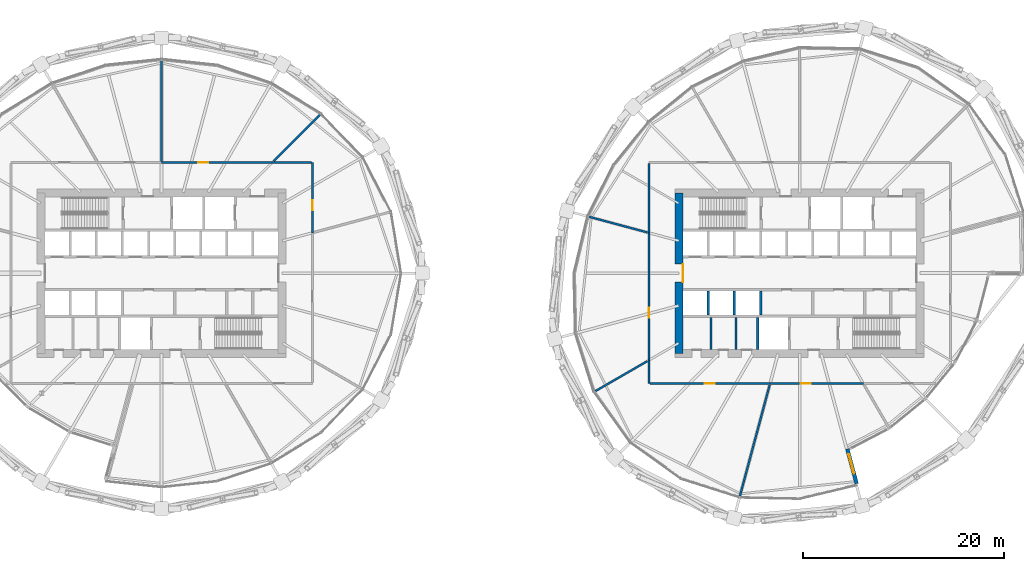
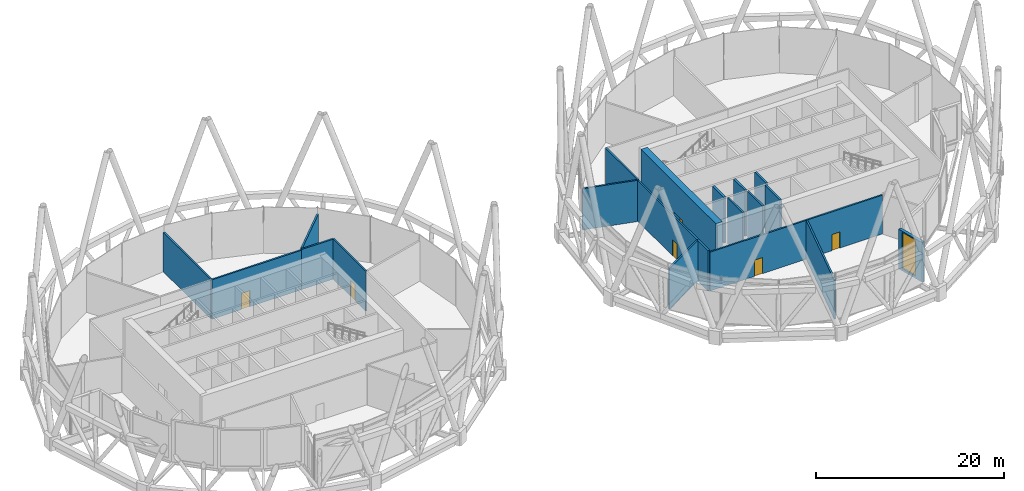
# One storey, part 28 of 33: 21 walls, 6 doors, 1 window, 7 openings.
"""IFC4 building model written with IfcOpenShell, lengths in metres."""

from ifc_helpers import new_model, si_unit, direction, frame, frame_2d, origin, place, context, subcontext, project, spatial, rectangle, extrude, material, layer, layer_set, type_object, element, fill, save


model = new_model("IFC4")

# Units and contexts
model_context = context("Model", 3, precision=1e-05, world=origin(), true_north=direction((0.0, 1.0)))
body_context = subcontext(model_context, "Body", "Model", "MODEL_VIEW")
ifc_project = project(units=[si_unit("LENGTHUNIT", "METRE"), si_unit("AREAUNIT", "SQUARE_METRE"), si_unit("VOLUMEUNIT", "CUBIC_METRE"), si_unit("PLANEANGLEUNIT", "RADIAN"), si_unit("MASSUNIT", "GRAM", prefix="KILO")], contexts=[model_context])

# Site, building, storey
site_placement = place(None, origin())
site = spatial("IfcSite", under=ifc_project, at=site_placement, CompositionType="ELEMENT")
building_placement = place(site_placement, origin())
building = spatial("IfcBuilding", under=site, at=building_placement, Name="Rimbun Link Towers", CompositionType="ELEMENT")
storey_placement = place(building_placement, frame((0.0, 0.0, 75.60009765625)))
storey = spatial("IfcBuildingStorey", under=building, at=storey_placement, Name="L18", CompositionType="ELEMENT", Elevation=75.60009765625)

# Wall, opening, window
ifc_material_1 = material(Name="Dark enamelled glass spandrel on insulated aluminium backpan", Category="aluminium")
ifc_layer_1 = layer(ifc_material_1, 0.3701171875)
ifc_layer_set_1 = layer_set([ifc_layer_1], Name="CS dark enamelled spandrel wall 370")
wall_type_1 = type_object("IfcWallType", Name="CS dark enamelled spandrel wall 370", PredefinedType="STANDARD", material=ifc_layer_set_1)
wall_1_placement = place(storey_placement, frame((36.503662109375, -17.489501953125, 0.0), z_axis=(0.0, 0.0, 1.0), x_axis=(0.258804260405, -0.965929787715, 0.0)))
wall_1 = element("IfcWall", 1, at=wall_1_placement, inside=storey, type_object=wall_type_1, Name="Crease spandrel wall", PredefinedType="STANDARD", context=body_context, shape_type="SweptSolid", body=[
    extrude(rectangle(XDim=3.580078125, YDim=0.3701171875, at=frame_2d((1.7900390625, 0.0))), origin(), (0.0, 0.0, 1.0), 5.146240234375),
])
opening_1_placement = place(wall_1_placement, frame((0.531005859375, 0.0, 0.300048828125)))
opening_1 = element("IfcOpeningElement", 2, at=opening_1_placement, cuts=wall_1, Name="Opening WR20H470", PredefinedType="OPENING", context=body_context, shape_type="SweptSolid", body=[
    extrude(rectangle(XDim=2.0, YDim=4.699951171875, at=frame_2d((1.0, 2.35009765625))), frame((0.0, 0.195068359375, 0.0), z_axis=(0.0, -1.0, 0.0), x_axis=(1.0, 0.0, 0.0)), (0.0, 0.0, 1.0), 0.39013671875),
])
ifc_material_2 = material(Name="Aluminium framed fixed window, dark tinted low-e glass", Category="aluminium")
window_type = type_object("IfcWindowType", Name="WR ribbon window 2000X4700", PartitioningType="SINGLE_PANEL", PredefinedType="WINDOW", material=ifc_material_2)
window_placement = place(opening_1_placement, origin())
window = element("IfcWindow", 3, at=window_placement, inside=storey, type_object=window_type, Name="Crease ribbon window", OverallHeight=4.699951171875, OverallWidth=2.0, PartitioningType="SINGLE_PANEL", PredefinedType="WINDOW", context=body_context, shape_type="SweptSolid", body=[
    extrude(rectangle(XDim=2.0, YDim=4.699951171875, at=frame_2d((1.0, 2.35009765625))), frame((0.0, 0.030029296875, 0.0), z_axis=(0.0, -1.0, 0.0), x_axis=(1.0, 0.0, 0.0)), (0.0, 0.0, 1.0), 0.06005859375),
])
fill(opening_1, window)

# Walls
ifc_material_3 = material(Name="Masonry blockwork", Category="masonry")
ifc_layer_2 = layer(ifc_material_3, 0.199951171875)
ifc_layer_set_2 = layer_set([ifc_layer_2], Name="Core partition 200")
wall_type_2 = type_object("IfcWallType", Name="Core partition 200", PredefinedType="PARTITIONING", material=ifc_layer_set_2)
for number, where, z_axis, x_axis, name in (
    (4, (22.949951171875, -4.39990234375, 0.0), (0.0, 0.0, 1.0), (0.0, -1.0, 0.0), "L18 T2 core wall C1"),
    (5, (25.39990234375, -4.39990234375, 0.0), (0.0, 0.0, 1.0), (0.0, -1.0, 0.0), "L18 T2 core wall C2"),
):
    element("IfcWall", number, at=place(storey_placement, frame(where, z_axis=z_axis, x_axis=x_axis)), inside=storey, type_object=wall_type_2, Name=name, PredefinedType="PARTITIONING", context=body_context, shape_type="SweptSolid", body=[
        extrude(rectangle(XDim=3.2001953125, YDim=0.199951171875, at=frame_2d((1.60009765625, 0.0))), origin(), (0.0, 0.0, 1.0), 6.0),
    ])

# Wall, opening, door
ifc_material_4 = material(Name="Concrete C60/75", Category="concrete")
ifc_layer_3 = layer(ifc_material_4, 0.800048828125)
ifc_layer_set_3 = layer_set([ifc_layer_3], Name="Core shear wall 800")
wall_type_3 = type_object("IfcWallType", Name="Core shear wall 800", PredefinedType="SHEAR", material=ifc_layer_set_3)
wall_2_placement = place(storey_placement, frame((19.75, -8.0, 0.0), z_axis=(0.0, 0.0, 1.0), x_axis=(0.0, 1.0, 0.0)))
wall_2 = element("IfcWall", 6, at=wall_2_placement, inside=storey, type_object=wall_type_3, Name="L18 T2 core wall W", PredefinedType="SHEAR", context=body_context, shape_type="SweptSolid", body=[
    extrude(rectangle(XDim=16.0, YDim=0.800048828125, at=frame_2d((8.0, 0.0))), origin(), (0.0, 0.0, 1.0), 6.0),
])
opening_2_placement = place(wall_2_placement, frame((7.10009765625, 0.0, 0.0)))
opening_2 = element("IfcOpeningElement", 7, at=opening_2_placement, cuts=wall_2, Name="Opening C2DCL01W", PredefinedType="OPENING", context=body_context, shape_type="SweptSolid", body=[
    extrude(rectangle(XDim=1.800048828125, YDim=2.10009765625, at=frame_2d((0.89990234375, 1.050048828125))), frame((0.0, 0.409912109375, 0.0), z_axis=(0.0, -1.0, 0.0), x_axis=(1.0, 0.0, 0.0)), (0.0, 0.0, 1.0), 0.820068359375),
])
ifc_material_5 = material(Name="Steel fire door set", Category="steel")
door_type_1 = type_object("IfcDoorType", Name="Core lobby door double", OperationType="DOUBLE_DOOR_SINGLE_SWING", PredefinedType="DOOR", material=ifc_material_5)
door_1_placement = place(opening_2_placement, origin())
door_1 = element("IfcDoor", 8, at=door_1_placement, inside=storey, type_object=door_type_1, Name="L18 T2 lift lobby door", OperationType="DOUBLE_DOOR_SINGLE_SWING", OverallHeight=2.10009765625, OverallWidth=1.800048828125, PredefinedType="DOOR", context=body_context, shape_type="SweptSolid", body=[
    extrude(rectangle(XDim=1.800048828125, YDim=2.10009765625, at=frame_2d((0.89990234375, 1.050048828125))), frame((0.0, -0.35009765625, 0.0), z_axis=(0.0, -1.0, 0.0), x_axis=(1.0, 0.0, 0.0)), (0.0, 0.0, 1.0), 0.050048828125),
])
fill(opening_2, door_1)

ifc_material_6 = material(Name="Concrete blockwork", Category="masonry")
ifc_layer_4 = layer(ifc_material_6, 0.199951171875)
ifc_layer_set_4 = layer_set([ifc_layer_4], Name="Fire partition 200 blockwork")
wall_type_4 = type_object("IfcWallType", Name="Fire partition 200 blockwork", PredefinedType="PARTITIONING", material=ifc_layer_set_4)
wall_3_placement = place(storey_placement, frame((-16.75, 4.019287109375, 0.0), z_axis=(0.0, 0.0, 1.0), x_axis=(0.0, 1.0, 0.0)))
wall_3 = element("IfcWall", 9, at=wall_3_placement, inside=storey, type_object=wall_type_4, Name="TW/PW/L18/007", PredefinedType="PARTITIONING", context=body_context, shape_type="SweptSolid", body=[
    extrude(rectangle(XDim=6.980712890625, YDim=0.199951171875, at=frame_2d((3.490234375, 0.0))), origin(), (0.0, 0.0, 1.0), 5.216796875),
])
opening_3_placement = place(wall_3_placement, frame((2.22802734375, 0.0, 0.0)))
opening_3 = element("IfcOpeningElement", 10, at=opening_3_placement, cuts=wall_3, Name="Opening TW D18.05", PredefinedType="OPENING", context=body_context, shape_type="SweptSolid", body=[
    extrude(rectangle(XDim=1.0, YDim=2.10009765625, at=frame_2d((0.5, 1.050048828125))), frame((0.0, 0.10986328125, 0.0), z_axis=(0.0, -1.0, 0.0), x_axis=(1.0, 0.0, 0.0)), (0.0, 0.0, 1.0), 0.219970703125),
])
ifc_material_7 = material(Name="Steel fire door set", Category="steel")
door_type_2 = type_object("IfcDoorType", Name="Fire door single leaf 1000 x 2100", OperationType="NOTDEFINED", PredefinedType="DOOR", material=ifc_material_7)
door_2_placement = place(opening_3_placement, origin())
door_2 = element("IfcDoor", 11, at=door_2_placement, inside=storey, type_object=door_type_2, Name="TW/DR/L18/005", OperationType="SINGLE_SWING_RIGHT", OverallHeight=2.10009765625, OverallWidth=1.0, PredefinedType="DOOR", context=body_context, shape_type="SweptSolid", body=[
    extrude(rectangle(XDim=1.0, YDim=2.10009765625, at=frame_2d((0.5, 1.050048828125))), frame((0.0, 0.02490234375, 0.0), z_axis=(0.0, -1.0, 0.0), x_axis=(1.0, 0.0, 0.0)), (0.0, 0.0, 1.0), 0.050048828125),
])
fill(opening_3, door_2)

# Wall
wall_4_placement = place(storey_placement, frame((-16.85009765625, 11.0, 0.0), z_axis=(0.0, 0.0, 1.0), x_axis=(-1.0, 0.0, 0.0)))
element("IfcWall", 12, at=wall_4_placement, inside=storey, type_object=wall_type_4, Name="TW/PW/L18/008", PredefinedType="PARTITIONING", context=body_context, shape_type="SweptSolid", body=[
    extrude(rectangle(XDim=3.89990234375, YDim=0.199951171875, at=frame_2d((1.949951171875, 0.0))), origin(), (0.0, 0.0, 1.0), 5.216796875),
])

# Wall, opening, door
wall_5_placement = place(storey_placement, frame((-20.75, 11.0, 0.0), z_axis=(0.0, 0.0, 1.0), x_axis=(-1.0, 0.0, 0.0)))
wall_5 = element("IfcWall", 13, at=wall_5_placement, inside=storey, type_object=wall_type_4, Name="TW/PW/L18/009", PredefinedType="PARTITIONING", context=body_context, shape_type="SweptSolid", body=[
    extrude(rectangle(XDim=11.0, YDim=0.199951171875, at=frame_2d((5.5, 0.0))), origin(), (0.0, 0.0, 1.0), 5.135986328125),
])
opening_4_placement = place(wall_5_placement, frame((6.364990234375, 0.0, 0.0)))
opening_4 = element("IfcOpeningElement", 14, at=opening_4_placement, cuts=wall_5, Name="Opening TW D18.06", PredefinedType="OPENING", context=body_context, shape_type="SweptSolid", body=[
    extrude(rectangle(XDim=1.0, YDim=2.10009765625, at=frame_2d((0.5, 1.050048828125))), frame((0.0, 0.10986328125, 0.0), z_axis=(0.0, -1.0, 0.0), x_axis=(1.0, 0.0, 0.0)), (0.0, 0.0, 1.0), 0.219970703125),
])
door_3_placement = place(opening_4_placement, origin())
door_3 = element("IfcDoor", 15, at=door_3_placement, inside=storey, type_object=door_type_2, Name="TW/DR/L18/006", OperationType="SINGLE_SWING_LEFT", OverallHeight=2.10009765625, OverallWidth=1.0, PredefinedType="DOOR", context=body_context, shape_type="SweptSolid", body=[
    extrude(rectangle(XDim=1.0, YDim=2.10009765625, at=frame_2d((0.5, 1.050048828125))), frame((0.0, 0.02490234375, 0.0), z_axis=(0.0, -1.0, 0.0), x_axis=(1.0, 0.0, 0.0)), (0.0, 0.0, 1.0), 0.050048828125),
])
fill(opening_4, door_3)

# Walls
wall_6_placement = place(storey_placement, frame((-15.90478515625, 15.84521484375, 0.0), z_axis=(0.0, 0.0, 1.0), x_axis=(-0.707106781187, -0.707106781187, 0.0)))
element("IfcWall", 16, at=wall_6_placement, inside=storey, type_object=wall_type_4, Name="TW/PW/L18/019", PredefinedType="PARTITIONING", context=body_context, shape_type="SweptSolid", body=[
    extrude(rectangle(XDim=6.61083984375, YDim=0.199951171875, at=frame_2d((3.305419921875, 0.0))), origin(), (0.0, 0.0, 1.0), 5.216796875),
])
wall_7_placement = place(storey_placement, frame((-31.75, 21.166015625, 0.0), z_axis=(0.0, 0.0, 1.0), x_axis=(0.0, -1.0, 0.0)))
element("IfcWall", 17, at=wall_7_placement, inside=storey, type_object=wall_type_4, Name="TW/PW/L18/020", PredefinedType="PARTITIONING", context=body_context, shape_type="SweptSolid", body=[
    extrude(rectangle(XDim=10.06591796875, YDim=0.199951171875, at=frame_2d((5.032958984375, 0.0))), origin(), (0.0, 0.0, 1.0), 5.135986328125),
])
wall_8_placement = place(storey_placement, frame((16.75, -8.660400390625, 0.0), z_axis=(0.0, 0.0, 1.0), x_axis=(0.0, -1.0, 0.0)))
element("IfcWall", 18, at=wall_8_placement, inside=storey, type_object=wall_type_4, Name="TW/PW/L18/023", PredefinedType="PARTITIONING", context=body_context, shape_type="SweptSolid", body=[
    extrude(rectangle(XDim=2.339599609375, YDim=0.199951171875, at=frame_2d((1.169921875, 0.0))), origin(), (0.0, 0.0, 1.0), 5.286865234375),
])

# Wall, opening, door
wall_9_placement = place(storey_placement, frame((16.85009765625, -11.0, 0.0), z_axis=(0.0, 0.0, 1.0), x_axis=(1.0, 0.0, 0.0)))
wall_9 = element("IfcWall", 19, at=wall_9_placement, inside=storey, type_object=wall_type_4, Name="TW/PW/L18/024", PredefinedType="PARTITIONING", context=body_context, shape_type="SweptSolid", body=[
    extrude(rectangle(XDim=11.952392578125, YDim=0.199951171875, at=frame_2d((5.97607421875, 0.0))), origin(), (0.0, 0.0, 1.0), 5.057861328125),
])
opening_5_placement = place(wall_9_placement, frame((5.47607421875, 0.0, 0.0)))
opening_5 = element("IfcOpeningElement", 20, at=opening_5_placement, cuts=wall_9, Name="Opening TW D18.10", PredefinedType="OPENING", context=body_context, shape_type="SweptSolid", body=[
    extrude(rectangle(XDim=1.0, YDim=2.10009765625, at=frame_2d((0.5, 1.050048828125))), frame((0.0, 0.10986328125, 0.0), z_axis=(0.0, -1.0, 0.0), x_axis=(1.0, 0.0, 0.0)), (0.0, 0.0, 1.0), 0.219970703125),
])
door_4_placement = place(opening_5_placement, origin())
door_4 = element("IfcDoor", 21, at=door_4_placement, inside=storey, type_object=door_type_2, Name="TW/DR/L18/010", OperationType="SINGLE_SWING_LEFT", OverallHeight=2.10009765625, OverallWidth=1.0, PredefinedType="DOOR", context=body_context, shape_type="SweptSolid", body=[
    extrude(rectangle(XDim=1.0, YDim=2.10009765625, at=frame_2d((0.5, 1.050048828125))), frame((0.0, 0.02490234375, 0.0), z_axis=(0.0, -1.0, 0.0), x_axis=(1.0, 0.0, 0.0)), (0.0, 0.0, 1.0), 0.050048828125),
])
fill(opening_5, door_4)

wall_10_placement = place(storey_placement, frame((28.802490234375, -11.0, 0.0), z_axis=(0.0, 0.0, 1.0), x_axis=(1.0, 0.0, 0.0)))
wall_10 = element("IfcWall", 22, at=wall_10_placement, inside=storey, type_object=wall_type_4, Name="TW/PW/L18/025", PredefinedType="PARTITIONING", context=body_context, shape_type="SweptSolid", body=[
    extrude(rectangle(XDim=9.29833984375, YDim=0.199951171875, at=frame_2d((4.649169921875, 0.0))), origin(), (0.0, 0.0, 1.0), 5.057861328125),
])
opening_6_placement = place(wall_10_placement, frame((3.0390625, 0.0, 0.0)))
opening_6 = element("IfcOpeningElement", 23, at=opening_6_placement, cuts=wall_10, Name="Opening TW D18.11", PredefinedType="OPENING", context=body_context, shape_type="SweptSolid", body=[
    extrude(rectangle(XDim=1.0, YDim=2.10009765625, at=frame_2d((0.5, 1.050048828125))), frame((0.0, 0.10986328125, 0.0), z_axis=(0.0, -1.0, 0.0), x_axis=(1.0, 0.0, 0.0)), (0.0, 0.0, 1.0), 0.219970703125),
])
door_5_placement = place(opening_6_placement, origin())
door_5 = element("IfcDoor", 24, at=door_5_placement, inside=storey, type_object=door_type_2, Name="TW/DR/L18/011", OperationType="SINGLE_SWING_RIGHT", OverallHeight=2.10009765625, OverallWidth=1.0, PredefinedType="DOOR", context=body_context, shape_type="SweptSolid", body=[
    extrude(rectangle(XDim=1.0, YDim=2.10009765625, at=frame_2d((0.5, 1.050048828125))), frame((0.0, 0.02490234375, 0.0), z_axis=(0.0, -1.0, 0.0), x_axis=(1.0, 0.0, 0.0)), (0.0, 0.0, 1.0), 0.050048828125),
])
fill(opening_6, door_5)

# Wall
wall_11_placement = place(storey_placement, frame((16.75, 10.89990234375, 0.0), z_axis=(0.0, 0.0, 1.0), x_axis=(0.0, -1.0, 0.0)))
element("IfcWall", 25, at=wall_11_placement, inside=storey, type_object=wall_type_4, Name="TW/PW/L18/034", PredefinedType="PARTITIONING", context=body_context, shape_type="SweptSolid", body=[
    extrude(rectangle(XDim=6.880615234375, YDim=0.199951171875, at=frame_2d((3.4404296875, 0.0))), origin(), (0.0, 0.0, 1.0), 5.366943359375),
])

# Wall, opening, door
wall_12_placement = place(storey_placement, frame((16.75, 4.019287109375, 0.0), z_axis=(0.0, 0.0, 1.0), x_axis=(0.0, -1.0, 0.0)))
wall_12 = element("IfcWall", 26, at=wall_12_placement, inside=storey, type_object=wall_type_4, Name="TW/PW/L18/035", PredefinedType="PARTITIONING", context=body_context, shape_type="SweptSolid", body=[
    extrude(rectangle(XDim=12.6796875, YDim=0.199951171875, at=frame_2d((6.33984375, 0.0))), origin(), (0.0, 0.0, 1.0), 5.286865234375),
])
opening_7_placement = place(wall_12_placement, frame((7.45703125, 0.0, 0.0)))
opening_7 = element("IfcOpeningElement", 27, at=opening_7_placement, cuts=wall_12, Name="Opening TW D18.18", PredefinedType="OPENING", context=body_context, shape_type="SweptSolid", body=[
    extrude(rectangle(XDim=1.0, YDim=2.10009765625, at=frame_2d((0.5, 1.050048828125))), frame((0.0, 0.10986328125, 0.0), z_axis=(0.0, -1.0, 0.0), x_axis=(1.0, 0.0, 0.0)), (0.0, 0.0, 1.0), 0.219970703125),
])
door_6_placement = place(opening_7_placement, origin())
door_6 = element("IfcDoor", 28, at=door_6_placement, inside=storey, type_object=door_type_2, Name="TW/DR/L18/018", OperationType="SINGLE_SWING_LEFT", OverallHeight=2.10009765625, OverallWidth=1.0, PredefinedType="DOOR", context=body_context, shape_type="SweptSolid", body=[
    extrude(rectangle(XDim=1.0, YDim=2.10009765625, at=frame_2d((0.5, 1.050048828125))), frame((0.0, 0.02490234375, 0.0), z_axis=(0.0, -1.0, 0.0), x_axis=(1.0, 0.0, 0.0)), (0.0, 0.0, 1.0), 0.050048828125),
])
fill(opening_7, door_6)

# Walls
wall_13_placement = place(storey_placement, frame((25.780029296875, -22.2802734375, 0.0), z_axis=(0.0, 0.0, 1.0), x_axis=(0.258817808235, 0.965926157706, 0.0)))
element("IfcWall", 29, at=wall_13_placement, inside=storey, type_object=wall_type_4, Name="TW/PW/L18/036", PredefinedType="PARTITIONING", context=body_context, shape_type="SweptSolid", body=[
    extrude(rectangle(XDim=11.5478515625, YDim=0.199951171875, at=frame_2d((5.77392578125, 0.0))), origin(), (0.0, 0.0, 1.0), 5.057861328125),
])
wall_14_placement = place(storey_placement, frame((16.60009765625, -8.746826171875, 0.0), z_axis=(0.0, 0.0, 1.0), x_axis=(-0.866030746697, -0.49999074569, 0.0)))
element("IfcWall", 30, at=wall_14_placement, inside=storey, type_object=wall_type_4, Name="TW/PW/L18/037", PredefinedType="PARTITIONING", context=body_context, shape_type="SweptSolid", body=[
    extrude(rectangle(XDim=6.0126953125, YDim=0.199951171875, at=frame_2d((3.00634765625, 0.0))), origin(), (0.0, 0.0, 1.0), 5.286865234375),
])
wall_15_placement = place(storey_placement, frame((10.766357421875, 5.62255859375, 0.0), z_axis=(0.0, 0.0, 1.0), x_axis=(0.965924869879, -0.258822614448, 0.0)))
element("IfcWall", 31, at=wall_15_placement, inside=storey, type_object=wall_type_4, Name="TW/PW/L18/043", PredefinedType="PARTITIONING", context=body_context, shape_type="SweptSolid", body=[
    extrude(rectangle(XDim=6.064208984375, YDim=0.199951171875, at=frame_2d((3.0322265625, 0.0))), origin(), (0.0, 0.0, 1.0), 5.366943359375),
])
ifc_material_8 = material(Name="Concrete C60/75", Category="concrete")
ifc_layer_5 = layer(ifc_material_8, 0.25)
ifc_layer_set_5 = layer_set([ifc_layer_5], Name="Shaft wall 250")
wall_type_5 = type_object("IfcWallType", Name="Shaft wall 250", PredefinedType="SHEAR", material=ifc_layer_set_5)
for number, where, z_axis, x_axis, name in (
    (32, (22.66943359375, -4.14990234375, 0.0), (0.0, 0.0, 1.0), (0.0, 1.0, 0.0), "L18 T2 core wall DS0"),
    (33, (25.263916015625, -4.14990234375, 0.0), (0.0, 0.0, 1.0), (0.0, 1.0, 0.0), "L18 T2 core wall DS1"),
    (34, (27.8583984375, -4.14990234375, 0.0), (0.0, 0.0, 1.0), (0.0, 1.0, 0.0), "L18 T2 core wall DS2"),
):
    element("IfcWall", number, at=place(storey_placement, frame(where, z_axis=z_axis, x_axis=x_axis)), inside=storey, type_object=wall_type_5, Name=name, PredefinedType="SHEAR", context=body_context, shape_type="SweptSolid", body=[
        extrude(rectangle(XDim=2.39990234375, YDim=0.25, at=frame_2d((1.199951171875, 0.0))), origin(), (0.0, 0.0, 1.0), 6.0),
    ])
wall_16_placement = place(storey_placement, frame((27.574951171875, -4.39990234375, 0.0), z_axis=(0.0, 0.0, 1.0), x_axis=(0.0, -1.0, 0.0)))
element("IfcWall", 35, at=wall_16_placement, inside=storey, type_object=wall_type_5, Name="L18 T2 core wall B3", PredefinedType="SHEAR", context=body_context, shape_type="SweptSolid", body=[
    extrude(rectangle(XDim=3.2001953125, YDim=0.25, at=frame_2d((1.60009765625, 0.0))), origin(), (0.0, 0.0, 1.0), 6.0),
])

save(model, "model.ifc")
